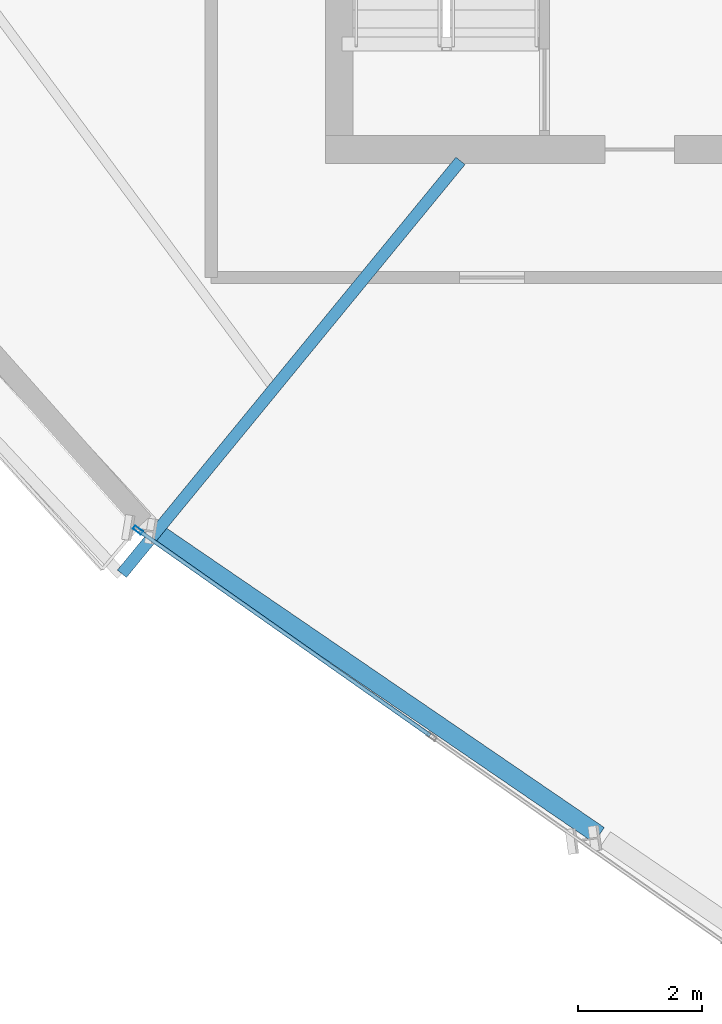
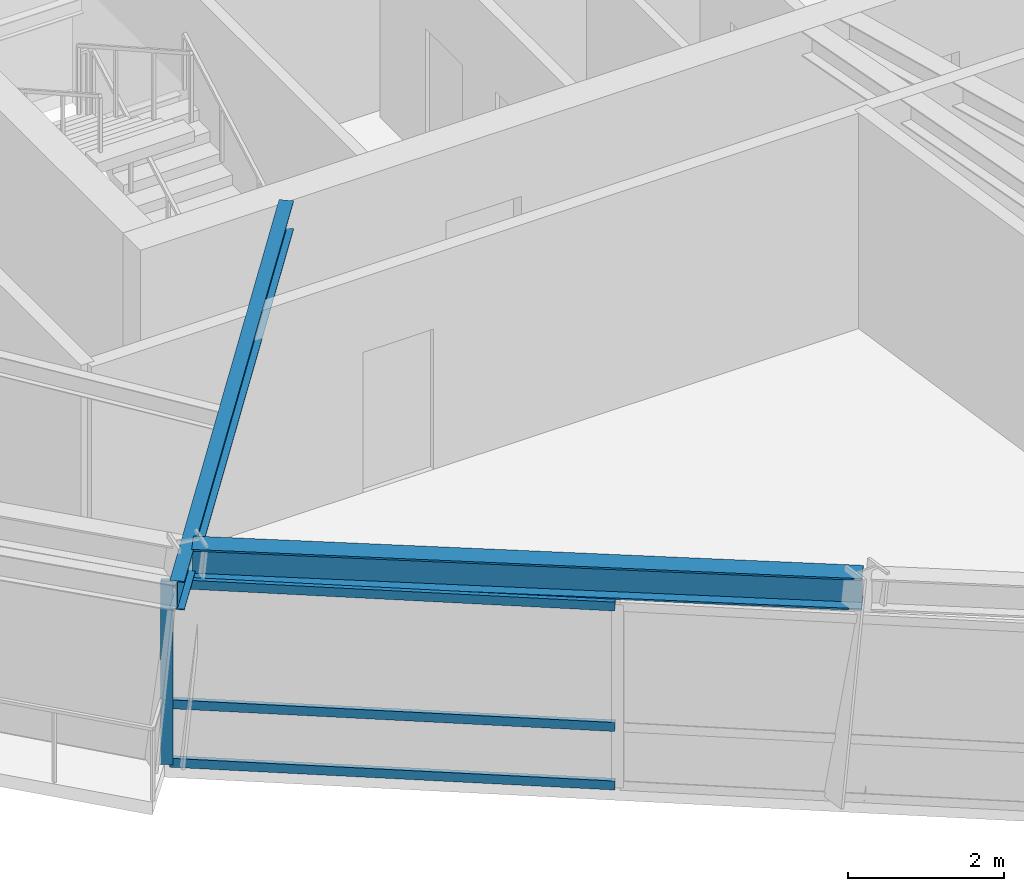
# One storey, part 2 of 13: 4 members, 2 beams, 1 element without a shape of its own.
"""IFC4 building model written with IfcOpenShell, lengths in metres."""

from ifc_helpers import new_model, si_unit, direction, frame, origin, origin_2d, place, context, subcontext, project, spatial, hollow_rectangle, i_section, extrude, source, transform, mapped, material, material_profile, profile_set, type_object, element, aggregate, save


model = new_model("IFC4")

# Units and contexts
model_context = context("Model", 3, precision=1e-05, world=origin(), true_north=direction((0.0, 1.0)))
body_context = subcontext(model_context, "Body", "Model", "MODEL_VIEW")
ifc_project = project(units=[si_unit("LENGTHUNIT", "METRE"), si_unit("AREAUNIT", "SQUARE_METRE"), si_unit("VOLUMEUNIT", "CUBIC_METRE"), si_unit("PLANEANGLEUNIT", "RADIAN"), si_unit("MASSUNIT", "GRAM", prefix="KILO")], contexts=[model_context])

# Site, building, storey
site_placement = place(None, origin())
site = spatial("IfcSite", under=ifc_project, at=site_placement, CompositionType="ELEMENT")
building_placement = place(site_placement, origin())
building = spatial("IfcBuilding", under=site, at=building_placement, Name="Olszyna Solenne Hotel", CompositionType="ELEMENT")
storey_placement = place(building_placement, frame((0.0, 0.0, 238.10009765625)))
storey = spatial("IfcBuildingStorey", under=building, at=storey_placement, Name="L63", CompositionType="ELEMENT", Elevation=238.10009765625)

# Beams
ifc_material_1 = material(Name="Steel S355J2", Category="steel")
ifc_material_profile_1 = material_profile(ifc_material_1, i_section(OverallWidth=0.300048828125, OverallDepth=0.5, WebThickness=0.014404296875, FlangeThickness=0.028076171875, at=origin_2d()), Name="HEB 500", Category="load-bearing")
ifc_profile_set_1 = profile_set([ifc_material_profile_1], Name="Steel S355J2")
beam_type_1 = type_object("IfcBeamType", Name="BM-S3", PredefinedType="BEAM", material=ifc_profile_set_1)
shared_shape_1 = source(origin(), body_context, "Body", "SweptSolid", [
    extrude(i_section(OverallWidth=0.300048828125, OverallDepth=0.5, WebThickness=0.014404296875, FlangeThickness=0.028076171875, at=origin_2d()), origin(), (0.0, 0.0, 1.0), 8.6328125),
])
beam_1_placement = place(storey_placement, frame((26.9560546875, 13.045166015625, 3.1298828125), z_axis=(0.825448744127, -0.564477077319, 0.0), x_axis=(0.564477077319, 0.825448744127, 0.0)))
element("IfcBeam", 1, at=beam_1_placement, inside=storey, type_object=beam_type_1, Name="Perimeter spandrel beam BM-S3 B-L63-1860", PredefinedType="BEAM", context=body_context, shape_type="MappedRepresentation", body=[
    mapped(shared_shape_1, transform((0.0, 0.0, 0.0), x_axis=(1.0, 0.0, 0.0), y_axis=(0.0, 1.0, 0.0), z_axis=(0.0, 0.0, 1.0), scale=1.0)),
])
ifc_material_profile_2 = material_profile(ifc_material_1, i_section(OverallWidth=0.18994140625, OverallDepth=0.449951171875, WebThickness=0.009521484375, FlangeThickness=0.0146484375, at=origin_2d()), Name="IPE 450", Category="load-bearing")
ifc_profile_set_2 = profile_set([ifc_material_profile_2], Name="Steel S355J2")
beam_type_2 = type_object("IfcBeamType", Name="BM-F4", PredefinedType="BEAM", material=ifc_profile_set_2)
shared_shape_2 = source(origin(), body_context, "Body", "SweptSolid", [
    extrude(i_section(OverallWidth=0.18994140625, OverallDepth=0.449951171875, WebThickness=0.009521484375, FlangeThickness=0.0146484375, at=origin_2d()), origin(), (0.0, 0.0, 1.0), 8.64404296875),
])
beam_2_placement = place(storey_placement, frame((26.356689453125, 12.404296875, 3.15478515625), z_axis=(0.634049526548, 0.77329244008, 0.0), x_axis=(-0.77329244008, 0.634049526548, 0.0)))
element("IfcBeam", 2, at=beam_2_placement, inside=storey, type_object=beam_type_2, Name="Radial floor girder BM-F4 B-L63-1871", PredefinedType="BEAM", context=body_context, shape_type="MappedRepresentation", body=[
    mapped(shared_shape_2, transform((0.0, 0.0, 0.0), x_axis=(1.0, 0.0, 0.0), y_axis=(0.0, 1.0, 0.0), z_axis=(0.0, 0.0, 1.0), scale=1.0)),
])

# Curtain wall, members
ifc_material_2 = material(Name="Anodised bronze aluminium", Category="aluminium")
curtain_wall_type = type_object("IfcCurtainWallType", Name="CW-SYS-4", PredefinedType="NOTDEFINED", material=ifc_material_2)
curtain_wall_placement = place(storey_placement, origin())
curtain_wall = element("IfcCurtainWall", 3, at=curtain_wall_placement, inside=storey, type_object=curtain_wall_type, Name="Unitised curtain wall CW-SYS-4 CW-L63-01", PredefinedType="NOTDEFINED")
ifc_material_profile_3 = material_profile(ifc_material_2, hollow_rectangle(XDim=0.06494140625, YDim=0.159912109375, WallThickness=0.00390625, at=origin_2d()), Name="MULL 160x65x4", Category="load-bearing")
ifc_profile_set_3 = profile_set([ifc_material_profile_3], Name="Anodised bronze aluminium")
member_type_1 = type_object("IfcMemberType", Name="CW-M3", PredefinedType="MULLION", material=ifc_profile_set_3)
shared_shape_3 = source(origin(), body_context, "Body", "SweptSolid", [
    extrude(hollow_rectangle(XDim=0.06494140625, YDim=0.159912109375, WallThickness=0.00390625, at=origin_2d()), origin(), (0.0, 0.0, 1.0), 2.871826171875),
])
member_1_placement = place(storey_placement, frame((26.615966796875, 13.1123046875, 0.0), z_axis=(0.0, 0.0, 1.0), x_axis=(0.575174009483, 0.818031086705, 0.0)))
member_1 = element("IfcMember", 4, at=member_1_placement, type_object=member_type_1, Name="Curtain-wall mullion CW-M3 CM-L63-01-01", PredefinedType="MULLION", context=body_context, shape_type="MappedRepresentation", body=[
    mapped(shared_shape_3, transform((0.0, 0.0, 0.0), x_axis=(1.0, 0.0, 0.0), y_axis=(0.0, 1.0, 0.0), z_axis=(0.0, 0.0, 1.0), scale=1.0)),
])
ifc_material_profile_4 = material_profile(ifc_material_2, hollow_rectangle(XDim=0.06494140625, YDim=0.139892578125, WallThickness=0.00390625, at=origin_2d()), Name="TRAN 140x65x4", Category="load-bearing")
ifc_profile_set_4 = profile_set([ifc_material_profile_4], Name="Anodised bronze aluminium")
member_type_2 = type_object("IfcMemberType", Name="CW-T2", PredefinedType="USERDEFINED", material=ifc_profile_set_4)
shared_shape_4 = source(origin(), body_context, "Body", "SweptSolid", [
    extrude(hollow_rectangle(XDim=0.06494140625, YDim=0.139892578125, WallThickness=0.00390625, at=origin_2d()), origin(), (0.0, 0.0, 1.0), 5.748291015625),
])
member_2_placement = place(storey_placement, frame((26.642578125, 13.093505859375, 0.032470703125), z_axis=(0.818046955715, -0.575151439401, 0.0), x_axis=(0.575151439401, 0.818046955715, 0.0)))
member_2 = element("IfcMember", 5, at=member_2_placement, type_object=member_type_2, Name="Curtain-wall transom CW-T2 CT-L63-01-01", ObjectType="TRANSOM", PredefinedType="USERDEFINED", context=body_context, shape_type="MappedRepresentation", body=[
    mapped(shared_shape_4, transform((0.0, 0.0, 0.0), x_axis=(1.0, 0.0, 0.0), y_axis=(0.0, 1.0, 0.0), z_axis=(0.0, 0.0, 1.0), scale=1.0)),
])
member_3_placement = place(storey_placement, frame((26.642578125, 13.093505859375, 0.949951171875), z_axis=(0.818046955715, -0.575151439401, 0.0), x_axis=(0.575151439401, 0.818046955715, 0.0)))
member_3 = element("IfcMember", 6, at=member_3_placement, type_object=member_type_2, Name="Curtain-wall transom CW-T2 CT-L63-01-02", ObjectType="TRANSOM", PredefinedType="USERDEFINED", context=body_context, shape_type="MappedRepresentation", body=[
    mapped(shared_shape_4, transform((0.0, 0.0, 0.0), x_axis=(1.0, 0.0, 0.0), y_axis=(0.0, 1.0, 0.0), z_axis=(0.0, 0.0, 1.0), scale=1.0)),
])
member_4_placement = place(storey_placement, frame((26.642578125, 13.093505859375, 2.83935546875), z_axis=(0.818046955715, -0.575151439401, 0.0), x_axis=(0.575151439401, 0.818046955715, 0.0)))
member_4 = element("IfcMember", 7, at=member_4_placement, type_object=member_type_2, Name="Curtain-wall transom CW-T2 CT-L63-01-03", ObjectType="TRANSOM", PredefinedType="USERDEFINED", context=body_context, shape_type="MappedRepresentation", body=[
    mapped(shared_shape_4, transform((0.0, 0.0, 0.0), x_axis=(1.0, 0.0, 0.0), y_axis=(0.0, 1.0, 0.0), z_axis=(0.0, 0.0, 1.0), scale=1.0)),
])
aggregate(curtain_wall, [member_1, member_2, member_3, member_4])

save(model, "model.ifc")
